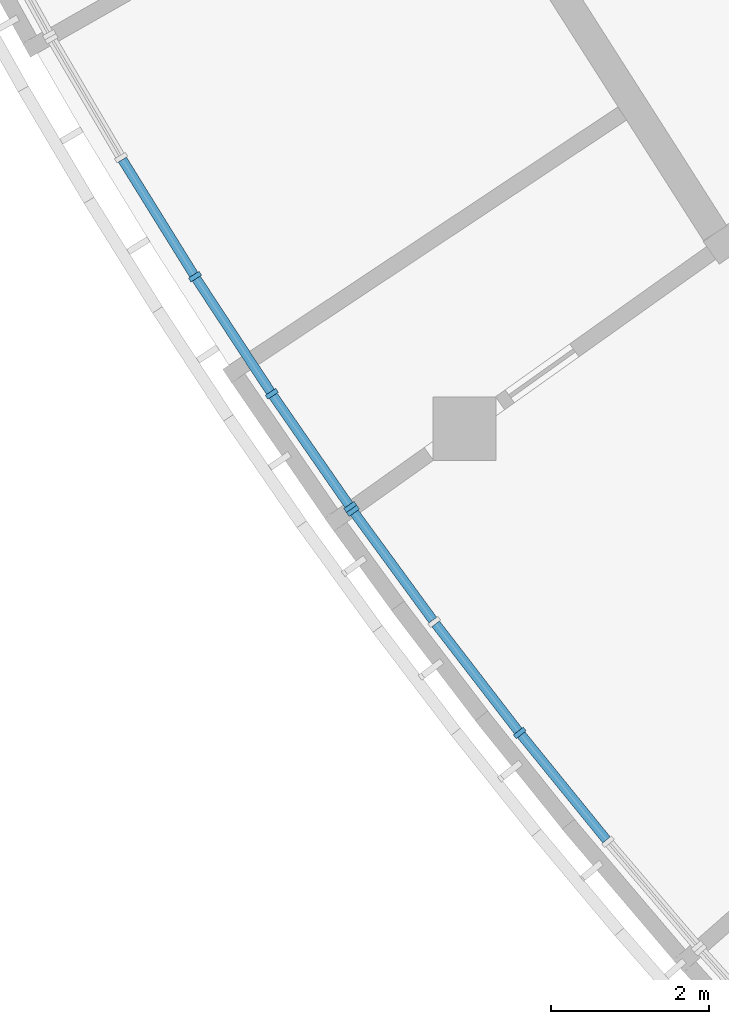
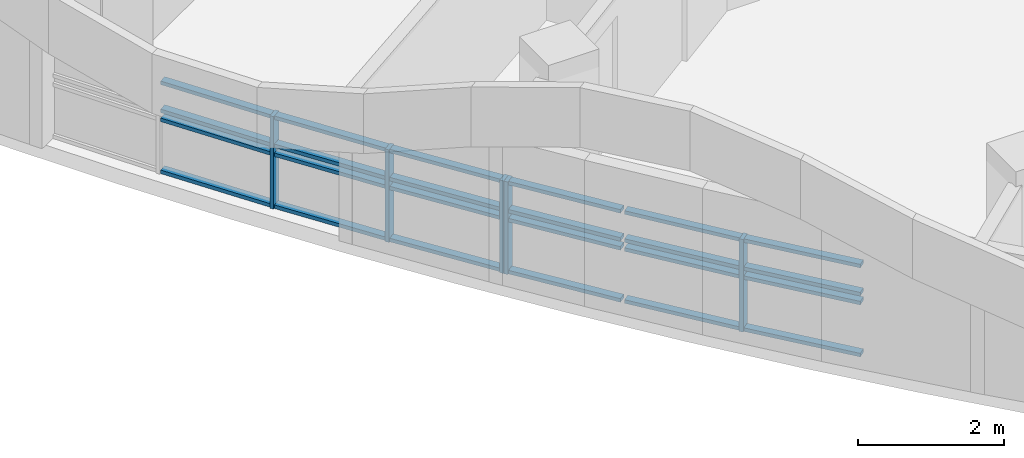
# One storey, part 5 of 89: 29 members, 2 elements without a shape of their own.
"""IFC4 building model written with IfcOpenShell, lengths in metres."""

from ifc_helpers import new_model, si_unit, direction, frame, origin, origin_2d, place, context, subcontext, project, spatial, rectangle, extrude, material, material_profile, profile_set, type_object, element, aggregate, save


model = new_model("IFC4")

# Units and contexts
model_context = context("Model", 3, precision=1e-05, world=origin(), true_north=direction((0.0, 1.0)))
body_context = subcontext(model_context, "Body", "Model", "MODEL_VIEW")
ifc_project = project(units=[si_unit("LENGTHUNIT", "METRE"), si_unit("AREAUNIT", "SQUARE_METRE"), si_unit("VOLUMEUNIT", "CUBIC_METRE"), si_unit("PLANEANGLEUNIT", "RADIAN"), si_unit("MASSUNIT", "GRAM", prefix="KILO")], contexts=[model_context])

# Site, building, storey
site_placement = place(None, origin())
site = spatial("IfcSite", under=ifc_project, at=site_placement, CompositionType="ELEMENT")
building_placement = place(site_placement, origin())
building = spatial("IfcBuilding", under=site, at=building_placement, Name="Bougainvillea Quay General Hospital", CompositionType="ELEMENT")
storey_placement = place(building_placement, frame((0.0, 0.0, 9.89990234375)))
storey = spatial("IfcBuildingStorey", under=building, at=storey_placement, Name="L01M", CompositionType="ELEMENT", Elevation=9.89990234375)

# Curtain wall, members
ifc_material_1 = material(Name="Aluminium curtain wall system, powder-coated glazed", Category="aluminium")
curtain_wall_type = type_object("IfcCurtainWallType", Name="Unitised curtain wall CW-2100", PredefinedType="NOTDEFINED", material=ifc_material_1)
curtain_wall_1_placement = place(storey_placement, origin())
curtain_wall_1 = element("IfcCurtainWall", 1, at=curtain_wall_1_placement, inside=storey, type_object=curtain_wall_type, Name="CW-W05 a01b4", PredefinedType="NOTDEFINED")
ifc_material_2 = material(Name="Aluminium mullion, powder-coated charcoal", Category="aluminium")
ifc_material_profile_1 = material_profile(ifc_material_2, rectangle(XDim=0.159912109375, YDim=0.06005859375, at=origin_2d()))
ifc_profile_set_1 = profile_set([ifc_material_profile_1], Name="Aluminium mullion, powder-coated charcoal")
member_type_1 = type_object("IfcMemberType", Name="Curtain wall mullion 160x60", PredefinedType="MULLION", material=ifc_profile_set_1)
member_1_placement = place(storey_placement, frame((54.49658203125, 82.7265625, 0.0), z_axis=(0.0, 0.0, 1.0), x_axis=(-0.784278527167, -0.620408890833, 0.0)))
member_1 = element("IfcMember", 2, at=member_1_placement, type_object=member_type_1, Name="CW-W05 mullion 3", PredefinedType="MULLION", context=body_context, shape_type="SweptSolid", body=[
    extrude(rectangle(XDim=0.159912109375, YDim=0.06005859375, at=origin_2d()), origin(), (0.0, 0.0, 1.0), 1.550048828125),
])
member_2_placement = place(storey_placement, frame((52.390869140625, 85.53125, 0.0), z_axis=(0.0, 0.0, 1.0), x_axis=(-0.807305492643, -0.590133748864, 0.0)))
member_2 = element("IfcMember", 3, at=member_2_placement, type_object=member_type_1, Name="CW-W05 mullion 5", PredefinedType="MULLION", context=body_context, shape_type="SweptSolid", body=[
    extrude(rectangle(XDim=0.159912109375, YDim=0.06005859375, at=origin_2d()), origin(), (0.0, 0.0, 1.0), 1.550048828125),
])

curtain_wall_2_placement = place(storey_placement, origin())
curtain_wall_2 = element("IfcCurtainWall", 4, at=curtain_wall_2_placement, inside=storey, type_object=curtain_wall_type, Name="CW-W06 a01b5", PredefinedType="NOTDEFINED")
member_3_placement = place(storey_placement, frame((52.35595703125, 85.580078125, 0.0), z_axis=(0.0, 0.0, 1.0), x_axis=(-0.822009884883, -0.569473220753, 0.0)))
member_3 = element("IfcMember", 5, at=member_3_placement, type_object=member_type_1, Name="CW-W06 mullion 1", PredefinedType="MULLION", context=body_context, shape_type="SweptSolid", body=[
    extrude(rectangle(XDim=0.159912109375, YDim=0.06005859375, at=origin_2d()), origin(), (0.0, 0.0, 1.0), 1.550048828125),
])
member_4_placement = place(storey_placement, frame((51.36572265625, 87.009521484375, 0.0), z_axis=(0.0, 0.0, 1.0), x_axis=(-0.82916442806, -0.55900478642, 0.0)))
member_4 = element("IfcMember", 6, at=member_4_placement, type_object=member_type_1, Name="CW-W06 mullion 2", PredefinedType="MULLION", context=body_context, shape_type="SweptSolid", body=[
    extrude(rectangle(XDim=0.159912109375, YDim=0.06005859375, at=origin_2d()), origin(), (0.0, 0.0, 1.0), 1.550048828125),
])
member_5_placement = place(storey_placement, frame((50.395751953125, 88.488525390625, 0.0), z_axis=(0.0, 0.0, 1.0), x_axis=(-0.843072457331, -0.537799992275, 0.0)))
member_5 = element("IfcMember", 7, at=member_5_placement, type_object=member_type_1, Name="CW-W06 mullion 3", PredefinedType="MULLION", context=body_context, shape_type="SweptSolid", body=[
    extrude(rectangle(XDim=0.159912109375, YDim=0.06005859375, at=origin_2d()), origin(), (0.0, 0.0, 1.0), 1.550048828125),
])

# Member
ifc_material_3 = material(Name="Aluminium transom, powder-coated charcoal", Category="aluminium")
ifc_material_profile_2 = material_profile(ifc_material_3, rectangle(XDim=0.1201171875, YDim=0.06005859375, at=origin_2d()))
ifc_profile_set_2 = profile_set([ifc_material_profile_2], Name="Aluminium transom, powder-coated charcoal")
member_type_2 = type_object("IfcMemberType", Name="Curtain wall transom 120x60", PredefinedType="USERDEFINED", material=ifc_profile_set_2)
member_6_placement = place(storey_placement, frame((55.592529296875, 81.37646484375, 0.030029296875), z_axis=(-0.630323663485, 0.776332454075, 0.0), x_axis=(-0.776332454075, -0.630323663485, 0.0)))
member_6 = element("IfcMember", 8, at=member_6_placement, type_object=member_type_2, Name="CW-W05 transom 2.1", ObjectType="TRANSOM", PredefinedType="USERDEFINED", context=body_context, shape_type="SweptSolid", body=[
    extrude(rectangle(XDim=0.1201171875, YDim=0.06005859375, at=origin_2d()), origin(), (0.0, 0.0, 1.0), 1.708984375),
])

member_7_placement = place(storey_placement, frame((55.592529296875, 81.37646484375, 0.900146484375), z_axis=(-0.630323663485, 0.776332454075, 0.0), x_axis=(-0.776332454075, -0.630323663485, 0.0)))
member_7 = element("IfcMember", 9, at=member_7_placement, type_object=member_type_2, Name="CW-W05 transom 2.2", ObjectType="TRANSOM", PredefinedType="USERDEFINED", context=body_context, shape_type="SweptSolid", body=[
    extrude(rectangle(XDim=0.1201171875, YDim=0.06005859375, at=origin_2d()), origin(), (0.0, 0.0, 1.0), 1.708984375),
])

member_8_placement = place(storey_placement, frame((55.592529296875, 81.37646484375, 1.050048828125), z_axis=(-0.630323663485, 0.776332454075, 0.0), x_axis=(-0.776332454075, -0.630323663485, 0.0)))
member_8 = element("IfcMember", 10, at=member_8_placement, type_object=member_type_2, Name="CW-W05 transom 2.3", ObjectType="TRANSOM", PredefinedType="USERDEFINED", context=body_context, shape_type="SweptSolid", body=[
    extrude(rectangle(XDim=0.1201171875, YDim=0.06005859375, at=origin_2d()), origin(), (0.0, 0.0, 1.0), 1.708984375),
])

member_9_placement = place(storey_placement, frame((55.592529296875, 81.37646484375, 1.52001953125), z_axis=(-0.630323663485, 0.776332454075, 0.0), x_axis=(-0.776332454075, -0.630323663485, 0.0)))
member_9 = element("IfcMember", 11, at=member_9_placement, type_object=member_type_2, Name="CW-W05 transom 2.4", ObjectType="TRANSOM", PredefinedType="USERDEFINED", context=body_context, shape_type="SweptSolid", body=[
    extrude(rectangle(XDim=0.1201171875, YDim=0.06005859375, at=origin_2d()), origin(), (0.0, 0.0, 1.0), 1.708984375),
])

member_10_placement = place(storey_placement, frame((54.478271484375, 82.750244140625, 0.030029296875), z_axis=(-0.610373415052, 0.792113813916, 0.0), x_axis=(-0.792113813916, -0.610373415052, 0.0)))
member_10 = element("IfcMember", 12, at=member_10_placement, type_object=member_type_2, Name="CW-W05 transom 3.1", ObjectType="TRANSOM", PredefinedType="USERDEFINED", context=body_context, shape_type="SweptSolid", body=[
    extrude(rectangle(XDim=0.1201171875, YDim=0.06005859375, at=origin_2d()), origin(), (0.0, 0.0, 1.0), 1.708740234375),
])

member_11_placement = place(storey_placement, frame((54.478271484375, 82.750244140625, 0.900146484375), z_axis=(-0.610373415052, 0.792113813916, 0.0), x_axis=(-0.792113813916, -0.610373415052, 0.0)))
member_11 = element("IfcMember", 13, at=member_11_placement, type_object=member_type_2, Name="CW-W05 transom 3.2", ObjectType="TRANSOM", PredefinedType="USERDEFINED", context=body_context, shape_type="SweptSolid", body=[
    extrude(rectangle(XDim=0.1201171875, YDim=0.06005859375, at=origin_2d()), origin(), (0.0, 0.0, 1.0), 1.708740234375),
])

member_12_placement = place(storey_placement, frame((54.478271484375, 82.750244140625, 1.050048828125), z_axis=(-0.610373415052, 0.792113813916, 0.0), x_axis=(-0.792113813916, -0.610373415052, 0.0)))
member_12 = element("IfcMember", 14, at=member_12_placement, type_object=member_type_2, Name="CW-W05 transom 3.3", ObjectType="TRANSOM", PredefinedType="USERDEFINED", context=body_context, shape_type="SweptSolid", body=[
    extrude(rectangle(XDim=0.1201171875, YDim=0.06005859375, at=origin_2d()), origin(), (0.0, 0.0, 1.0), 1.708740234375),
])

member_13_placement = place(storey_placement, frame((54.478271484375, 82.750244140625, 1.52001953125), z_axis=(-0.610373415052, 0.792113813916, 0.0), x_axis=(-0.792113813916, -0.610373415052, 0.0)))
member_13 = element("IfcMember", 15, at=member_13_placement, type_object=member_type_2, Name="CW-W05 transom 3.4", ObjectType="TRANSOM", PredefinedType="USERDEFINED", context=body_context, shape_type="SweptSolid", body=[
    extrude(rectangle(XDim=0.1201171875, YDim=0.06005859375, at=origin_2d()), origin(), (0.0, 0.0, 1.0), 1.708740234375),
])

member_14_placement = place(storey_placement, frame((53.399169921875, 84.15185546875, 0.030029296875), z_axis=(-0.590158785572, 0.807287190417, 0.0), x_axis=(-0.807287190417, -0.590158785572, 0.0)))
member_14 = element("IfcMember", 16, at=member_14_placement, type_object=member_type_2, Name="CW-W05 transom 4.1", ObjectType="TRANSOM", PredefinedType="USERDEFINED", context=body_context, shape_type="SweptSolid", body=[
    extrude(rectangle(XDim=0.1201171875, YDim=0.06005859375, at=origin_2d()), origin(), (0.0, 0.0, 1.0), 1.6787109375),
])

member_15_placement = place(storey_placement, frame((53.399169921875, 84.15185546875, 0.900146484375), z_axis=(-0.590158785572, 0.807287190417, 0.0), x_axis=(-0.807287190417, -0.590158785572, 0.0)))
member_15 = element("IfcMember", 17, at=member_15_placement, type_object=member_type_2, Name="CW-W05 transom 4.2", ObjectType="TRANSOM", PredefinedType="USERDEFINED", context=body_context, shape_type="SweptSolid", body=[
    extrude(rectangle(XDim=0.1201171875, YDim=0.06005859375, at=origin_2d()), origin(), (0.0, 0.0, 1.0), 1.6787109375),
])

member_16_placement = place(storey_placement, frame((53.399169921875, 84.15185546875, 1.050048828125), z_axis=(-0.590158785572, 0.807287190417, 0.0), x_axis=(-0.807287190417, -0.590158785572, 0.0)))
member_16 = element("IfcMember", 18, at=member_16_placement, type_object=member_type_2, Name="CW-W05 transom 4.3", ObjectType="TRANSOM", PredefinedType="USERDEFINED", context=body_context, shape_type="SweptSolid", body=[
    extrude(rectangle(XDim=0.1201171875, YDim=0.06005859375, at=origin_2d()), origin(), (0.0, 0.0, 1.0), 1.6787109375),
])

member_17_placement = place(storey_placement, frame((53.399169921875, 84.15185546875, 1.52001953125), z_axis=(-0.590158785572, 0.807287190417, 0.0), x_axis=(-0.807287190417, -0.590158785572, 0.0)))
member_17 = element("IfcMember", 19, at=member_17_placement, type_object=member_type_2, Name="CW-W05 transom 4.4", ObjectType="TRANSOM", PredefinedType="USERDEFINED", context=body_context, shape_type="SweptSolid", body=[
    extrude(rectangle(XDim=0.1201171875, YDim=0.06005859375, at=origin_2d()), origin(), (0.0, 0.0, 1.0), 1.6787109375),
])

aggregate(curtain_wall_1, [member_1, member_2, member_6, member_7, member_8, member_9, member_10, member_11, member_12, member_13, member_14, member_15, member_16, member_17])

member_18_placement = place(storey_placement, frame((52.3388671875, 85.604736328125, 0.030029296875), z_axis=(-0.569444364357, 0.82202987531, 0.0), x_axis=(-0.82202987531, -0.569444364357, 0.0)))
member_18 = element("IfcMember", 20, at=member_18_placement, type_object=member_type_2, Name="CW-W06 transom 1.1", ObjectType="TRANSOM", PredefinedType="USERDEFINED", context=body_context, shape_type="SweptSolid", body=[
    extrude(rectangle(XDim=0.1201171875, YDim=0.06005859375, at=origin_2d()), origin(), (0.0, 0.0, 1.0), 1.678955078125),
])

member_19_placement = place(storey_placement, frame((52.3388671875, 85.604736328125, 0.900146484375), z_axis=(-0.569444364357, 0.82202987531, 0.0), x_axis=(-0.82202987531, -0.569444364357, 0.0)))
member_19 = element("IfcMember", 21, at=member_19_placement, type_object=member_type_2, Name="CW-W06 transom 1.2", ObjectType="TRANSOM", PredefinedType="USERDEFINED", context=body_context, shape_type="SweptSolid", body=[
    extrude(rectangle(XDim=0.1201171875, YDim=0.06005859375, at=origin_2d()), origin(), (0.0, 0.0, 1.0), 1.678955078125),
])

member_20_placement = place(storey_placement, frame((52.3388671875, 85.604736328125, 1.050048828125), z_axis=(-0.569444364357, 0.82202987531, 0.0), x_axis=(-0.82202987531, -0.569444364357, 0.0)))
member_20 = element("IfcMember", 22, at=member_20_placement, type_object=member_type_2, Name="CW-W06 transom 1.3", ObjectType="TRANSOM", PredefinedType="USERDEFINED", context=body_context, shape_type="SweptSolid", body=[
    extrude(rectangle(XDim=0.1201171875, YDim=0.06005859375, at=origin_2d()), origin(), (0.0, 0.0, 1.0), 1.678955078125),
])

member_21_placement = place(storey_placement, frame((52.3388671875, 85.604736328125, 1.52001953125), z_axis=(-0.569444364357, 0.82202987531, 0.0), x_axis=(-0.82202987531, -0.569444364357, 0.0)))
member_21 = element("IfcMember", 23, at=member_21_placement, type_object=member_type_2, Name="CW-W06 transom 1.4", ObjectType="TRANSOM", PredefinedType="USERDEFINED", context=body_context, shape_type="SweptSolid", body=[
    extrude(rectangle(XDim=0.1201171875, YDim=0.06005859375, at=origin_2d()), origin(), (0.0, 0.0, 1.0), 1.678955078125),
])

member_22_placement = place(storey_placement, frame((51.349365234375, 87.034423828125, 0.030029296875), z_axis=(-0.548453588198, 0.836180998105, 0.0), x_axis=(-0.836180998105, -0.548453588198, 0.0)))
member_22 = element("IfcMember", 24, at=member_22_placement, type_object=member_type_2, Name="CW-W06 transom 2.1", ObjectType="TRANSOM", PredefinedType="USERDEFINED", context=body_context, shape_type="SweptSolid", body=[
    extrude(rectangle(XDim=0.1201171875, YDim=0.06005859375, at=origin_2d()), origin(), (0.0, 0.0, 1.0), 1.708984375),
])

member_23_placement = place(storey_placement, frame((51.349365234375, 87.034423828125, 0.900146484375), z_axis=(-0.548453588198, 0.836180998105, 0.0), x_axis=(-0.836180998105, -0.548453588198, 0.0)))
member_23 = element("IfcMember", 25, at=member_23_placement, type_object=member_type_2, Name="CW-W06 transom 2.2", ObjectType="TRANSOM", PredefinedType="USERDEFINED", context=body_context, shape_type="SweptSolid", body=[
    extrude(rectangle(XDim=0.1201171875, YDim=0.06005859375, at=origin_2d()), origin(), (0.0, 0.0, 1.0), 1.708984375),
])

member_24_placement = place(storey_placement, frame((51.349365234375, 87.034423828125, 1.050048828125), z_axis=(-0.548453588198, 0.836180998105, 0.0), x_axis=(-0.836180998105, -0.548453588198, 0.0)))
member_24 = element("IfcMember", 26, at=member_24_placement, type_object=member_type_2, Name="CW-W06 transom 2.3", ObjectType="TRANSOM", PredefinedType="USERDEFINED", context=body_context, shape_type="SweptSolid", body=[
    extrude(rectangle(XDim=0.1201171875, YDim=0.06005859375, at=origin_2d()), origin(), (0.0, 0.0, 1.0), 1.708984375),
])

member_25_placement = place(storey_placement, frame((51.349365234375, 87.034423828125, 1.52001953125), z_axis=(-0.548453588198, 0.836180998105, 0.0), x_axis=(-0.836180998105, -0.548453588198, 0.0)))
member_25 = element("IfcMember", 27, at=member_25_placement, type_object=member_type_2, Name="CW-W06 transom 2.4", ObjectType="TRANSOM", PredefinedType="USERDEFINED", context=body_context, shape_type="SweptSolid", body=[
    extrude(rectangle(XDim=0.1201171875, YDim=0.06005859375, at=origin_2d()), origin(), (0.0, 0.0, 1.0), 1.708984375),
])

member_26_placement = place(storey_placement, frame((50.3798828125, 88.513916015625, 0.030029296875), z_axis=(-0.527067635723, 0.84982333892, 0.0), x_axis=(-0.84982333892, -0.527067635723, 0.0)))
member_26 = element("IfcMember", 28, at=member_26_placement, type_object=member_type_2, Name="CW-W06 transom 3.1", ObjectType="TRANSOM", PredefinedType="USERDEFINED", context=body_context, shape_type="SweptSolid", body=[
    extrude(rectangle(XDim=0.1201171875, YDim=0.06005859375, at=origin_2d()), origin(), (0.0, 0.0, 1.0), 1.708740234375),
])

member_27_placement = place(storey_placement, frame((50.3798828125, 88.513916015625, 0.900146484375), z_axis=(-0.527067635723, 0.84982333892, 0.0), x_axis=(-0.84982333892, -0.527067635723, 0.0)))
member_27 = element("IfcMember", 29, at=member_27_placement, type_object=member_type_2, Name="CW-W06 transom 3.2", ObjectType="TRANSOM", PredefinedType="USERDEFINED", context=body_context, shape_type="SweptSolid", body=[
    extrude(rectangle(XDim=0.1201171875, YDim=0.06005859375, at=origin_2d()), origin(), (0.0, 0.0, 1.0), 1.708740234375),
])

member_28_placement = place(storey_placement, frame((50.3798828125, 88.513916015625, 1.050048828125), z_axis=(-0.527067635723, 0.84982333892, 0.0), x_axis=(-0.84982333892, -0.527067635723, 0.0)))
member_28 = element("IfcMember", 30, at=member_28_placement, type_object=member_type_2, Name="CW-W06 transom 3.3", ObjectType="TRANSOM", PredefinedType="USERDEFINED", context=body_context, shape_type="SweptSolid", body=[
    extrude(rectangle(XDim=0.1201171875, YDim=0.06005859375, at=origin_2d()), origin(), (0.0, 0.0, 1.0), 1.708740234375),
])

member_29_placement = place(storey_placement, frame((50.3798828125, 88.513916015625, 1.52001953125), z_axis=(-0.527067635723, 0.84982333892, 0.0), x_axis=(-0.84982333892, -0.527067635723, 0.0)))
member_29 = element("IfcMember", 31, at=member_29_placement, type_object=member_type_2, Name="CW-W06 transom 3.4", ObjectType="TRANSOM", PredefinedType="USERDEFINED", context=body_context, shape_type="SweptSolid", body=[
    extrude(rectangle(XDim=0.1201171875, YDim=0.06005859375, at=origin_2d()), origin(), (0.0, 0.0, 1.0), 1.708740234375),
])

aggregate(curtain_wall_2, [member_3, member_4, member_5, member_18, member_19, member_20, member_21, member_22, member_23, member_24, member_25, member_26, member_27, member_28, member_29])

save(model, "model.ifc")
